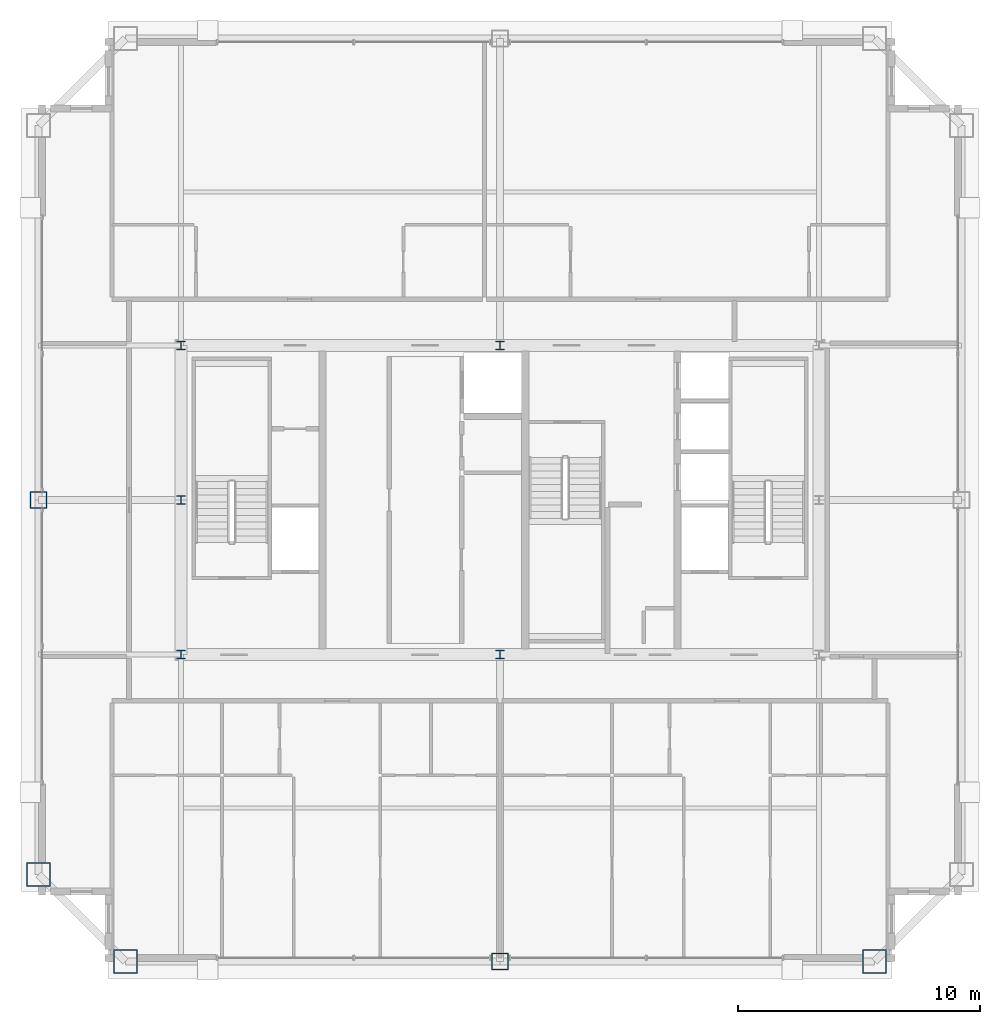
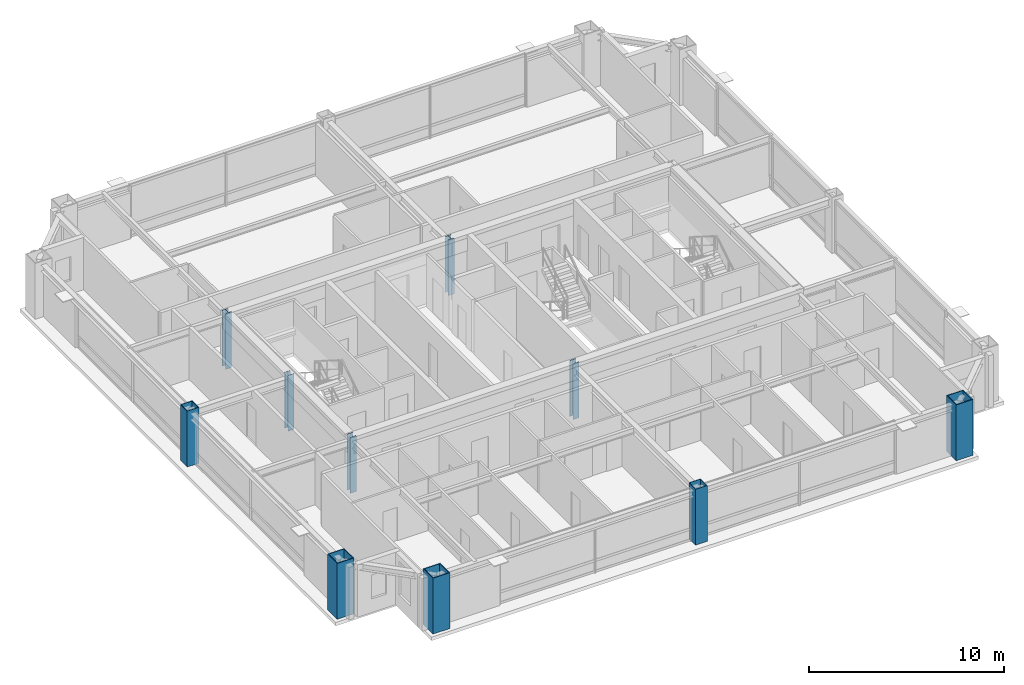
# One storey, part 1 of 34: 10 columns.
"""IFC4 building model written with IfcOpenShell, lengths in metres."""

from ifc_helpers import new_model, si_unit, direction, frame, origin, origin_2d, place, context, subcontext, project, spatial, hollow_rectangle, i_section, extrude, source, transform, mapped, material, material_profile, profile_set, type_object, element, save


model = new_model("IFC4")

# Units and contexts
model_context = context("Model", 3, precision=1e-05, world=origin(), true_north=direction((0.0, 1.0)))
body_context = subcontext(model_context, "Body", "Model", "MODEL_VIEW")
ifc_project = project(units=[si_unit("LENGTHUNIT", "METRE"), si_unit("AREAUNIT", "SQUARE_METRE"), si_unit("VOLUMEUNIT", "CUBIC_METRE"), si_unit("PLANEANGLEUNIT", "RADIAN"), si_unit("MASSUNIT", "GRAM", prefix="KILO"), si_unit("THERMODYNAMICTEMPERATUREUNIT", "KELVIN"), si_unit("POWERUNIT", "WATT")], contexts=[model_context])

# Site, building, storey
site_placement = place(None, origin())
site = spatial("IfcSite", under=ifc_project, at=site_placement, CompositionType="ELEMENT")
building_placement = place(site_placement, origin())
building = spatial("IfcBuilding", under=site, at=building_placement, Name="Yuzanri Waterfront Tower", CompositionType="ELEMENT")
storey_placement = place(building_placement, frame((0.0, 0.0, 325.199951171875)))
storey = spatial("IfcBuildingStorey", under=building, at=storey_placement, Name="L87", CompositionType="ELEMENT", Elevation=325.199951171875)

# Columns
ifc_material_1 = material(Name="Steel Q355B", Category="steel")
ifc_material_profile_1 = material_profile(ifc_material_1, hollow_rectangle(XDim=0.699951171875, YDim=0.699951171875, WallThickness=0.031982421875, at=origin_2d()), Name="RHS 700x700x32")
ifc_profile_set_1 = profile_set([ifc_material_profile_1], Name="Steel Q355B")
column_type_1 = type_object("IfcColumnType", Name="Frame Column Q355B RHS 700x700x32", PredefinedType="COLUMN", material=ifc_profile_set_1)
shared_shape_1 = source(origin(), body_context, "Body", "SweptSolid", [
    extrude(hollow_rectangle(XDim=0.699951171875, YDim=0.699951171875, WallThickness=0.031982421875, at=origin_2d()), origin(), (0.0, 0.0, 1.0), 3.5),
])
for number, where, z_axis, x_axis, name in (
    (1, (37.0, 6.699951171875, 0.0), (0.0, 0.0, 1.0), (1.0, 0.0, 0.0), "L87 Perimeter Frame Column S2"),
    (2, (17.89990234375, 25.800048828125, 0.0), (0.0, 0.0, 1.0), (1.0, 0.0, 0.0), "L87 Perimeter Frame Column W2"),
):
    element("IfcColumn", number, at=place(storey_placement, frame(where, z_axis=z_axis, x_axis=x_axis)), inside=storey, type_object=column_type_1, Name=name, PredefinedType="COLUMN", context=body_context, shape_type="MappedRepresentation", body=[
        mapped(shared_shape_1, transform((0.0, 0.0, 0.0), scale=1.0)),
    ])
ifc_material_2 = material(Name="Steel Q355B", Category="steel")
ifc_material_profile_2 = material_profile(ifc_material_2, i_section(OverallWidth=0.35009765625, OverallDepth=0.35009765625, WebThickness=0.011962890625, FlangeThickness=0.01904296875, at=origin_2d()), Name="HW 350x350x12x19")
ifc_profile_set_2 = profile_set([ifc_material_profile_2], Name="Steel Q355B")
column_type_2 = type_object("IfcColumnType", Name="Core Post Q355B HW 350x350x12x19", PredefinedType="COLUMN", material=ifc_profile_set_2)
shared_shape_2 = source(origin(), body_context, "Body", "SweptSolid", [
    extrude(i_section(OverallWidth=0.35009765625, OverallDepth=0.35009765625, WebThickness=0.011962890625, FlangeThickness=0.01904296875, at=origin_2d()), origin(), (0.0, 0.0, 1.0), 3.5),
])
for number, where, z_axis, x_axis, name in (
    (3, (23.800048828125, 19.39990234375, 0.0), (0.0, 0.0, 1.0), (1.0, 0.0, 0.0), "L87 Core Boundary Column CP1"),
    (4, (37.0, 19.39990234375, 0.0), (0.0, 0.0, 1.0), (1.0, 0.0, 0.0), "L87 Core Boundary Column CP2"),
    (5, (23.800048828125, 25.800048828125, 0.0), (0.0, 0.0, 1.0), (1.0, 0.0, 0.0), "L87 Core Boundary Column CP4"),
    (6, (23.800048828125, 32.199951171875, 0.0), (0.0, 0.0, 1.0), (1.0, 0.0, 0.0), "L87 Core Boundary Column CP6"),
    (7, (37.0, 32.199951171875, 0.0), (0.0, 0.0, 1.0), (1.0, 0.0, 0.0), "L87 Core Boundary Column CP7"),
):
    element("IfcColumn", number, at=place(storey_placement, frame(where, z_axis=z_axis, x_axis=x_axis)), inside=storey, type_object=column_type_2, Name=name, PredefinedType="COLUMN", context=body_context, shape_type="MappedRepresentation", body=[
        mapped(shared_shape_2, transform((0.0, 0.0, 0.0), scale=1.0)),
    ])
ifc_material_3 = material(Name="Steel Q390GJC", Category="steel")
ifc_material_profile_3 = material_profile(ifc_material_3, hollow_rectangle(XDim=1.0, YDim=1.0, WallThickness=0.048095703125, at=origin_2d()), Name="RHS 1000x1000x48")
ifc_profile_set_3 = profile_set([ifc_material_profile_3], Name="Steel Q390GJC")
column_type_3 = type_object("IfcColumnType", Name="Mega Column Q390GJC RHS 1000x1000x48", PredefinedType="COLUMN", material=ifc_profile_set_3)
shared_shape_3 = source(origin(), body_context, "Body", "SweptSolid", [
    extrude(hollow_rectangle(XDim=1.0, YDim=1.0, WallThickness=0.048095703125, at=origin_2d()), origin(), (0.0, 0.0, 1.0), 3.5),
])
for number, where, z_axis, x_axis, name in (
    (8, (21.5, 6.699951171875, 0.0), (0.0, 0.0, 1.0), (1.0, 0.0, 0.0), "L87 Perimeter Mega Column S1"),
    (9, (52.5, 6.699951171875, 0.0), (0.0, 0.0, 1.0), (1.0, 0.0, 0.0), "L87 Perimeter Mega Column S3"),
    (10, (17.89990234375, 10.300048828125, 0.0), (0.0, 0.0, 1.0), (1.0, 0.0, 0.0), "L87 Perimeter Mega Column W1"),
):
    element("IfcColumn", number, at=place(storey_placement, frame(where, z_axis=z_axis, x_axis=x_axis)), inside=storey, type_object=column_type_3, Name=name, PredefinedType="COLUMN", context=body_context, shape_type="MappedRepresentation", body=[
        mapped(shared_shape_3, transform((0.0, 0.0, 0.0), scale=1.0)),
    ])

save(model, "model.ifc")
